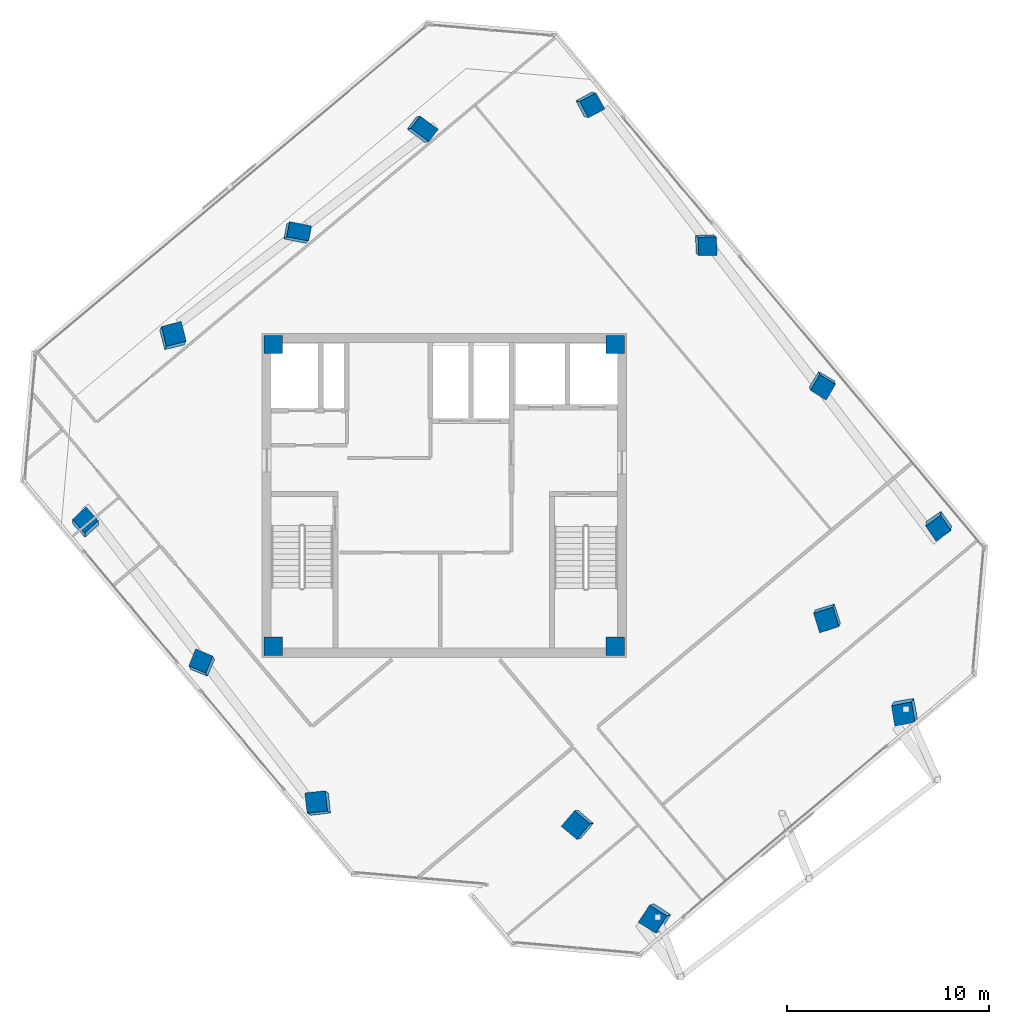
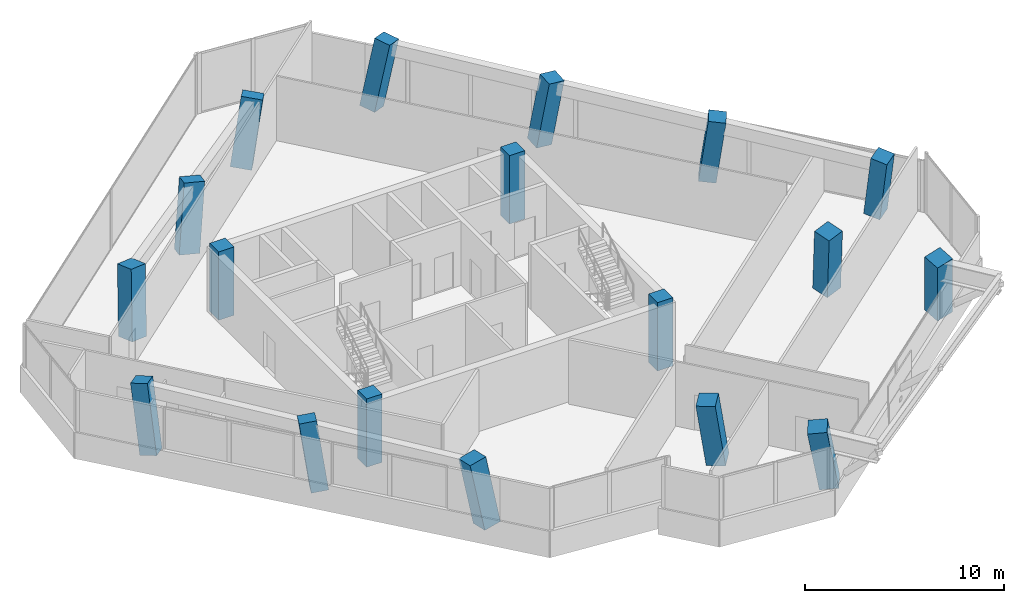
# One storey, part 1 of 17: 18 columns.
"""IFC4 building model written with IfcOpenShell, lengths in metres."""

from ifc_helpers import new_model, si_unit, direction, frame, origin, origin_2d, place, context, subcontext, project, spatial, rectangle, extrude, clip, halfspace, source, transform, mapped, material, material_profile, profile_set, type_object, element, save


model = new_model("IFC4")

# Units and contexts
model_context = context("Model", 3, precision=1e-05, world=origin(), true_north=direction((0.0, 1.0)))
body_context = subcontext(model_context, "Body", "Model", "MODEL_VIEW")
ifc_project = project(units=[si_unit("LENGTHUNIT", "METRE"), si_unit("AREAUNIT", "SQUARE_METRE"), si_unit("VOLUMEUNIT", "CUBIC_METRE"), si_unit("PLANEANGLEUNIT", "RADIAN"), si_unit("MASSUNIT", "GRAM", prefix="KILO")], contexts=[model_context])

# Site, building, storey
site_placement = place(None, origin())
site = spatial("IfcSite", under=ifc_project, at=site_placement, CompositionType="ELEMENT")
building_placement = place(site_placement, origin())
building = spatial("IfcBuilding", under=site, at=building_placement, Name="Torre Montelarca", CompositionType="ELEMENT")
storey_placement = place(building_placement, frame((0.0, 0.0, 275.199951171875)))
storey = spatial("IfcBuildingStorey", under=building, at=storey_placement, Name="L62", CompositionType="ELEMENT", Elevation=275.199951171875)

# Columns
ifc_material_1 = material(Name="Concrete C40/50", Category="concrete")
ifc_material_profile_1 = material_profile(ifc_material_1, rectangle(XDim=0.75, YDim=1.10009765625, at=origin_2d()), Name="RC1100X750", Category="concrete")
ifc_profile_set_1 = profile_set([ifc_material_profile_1], Name="Concrete C40/50")
column_type_1 = type_object("IfcColumnType", Name="COL-PIL1100-EXT", PredefinedType="PILASTER", material=ifc_profile_set_1)
column_1_placement = place(storey_placement, frame((10.6689453125, 44.90771484375, 0.0), z_axis=(0.134500210061, 0.107932267333, 0.985017928345), x_axis=(-0.186208166416, -0.973588495027, 0.132105870839)))
element("IfcColumn", 1, at=column_1_placement, inside=storey, type_object=column_type_1, Name="L62 Column 1W/E", PredefinedType="PILASTER", context=body_context, shape_type="Clipping", body=[
    clip(clip(extrude(rectangle(XDim=0.75, YDim=1.10009765625, at=origin_2d()), origin(), (0.0, 0.0, 1.0), 4.263916015625), halfspace(frame((0.0, 0.0, 0.113037109375), z_axis=(0.0, 0.0, -1.0), x_axis=(1.0, 0.0, 0.0)), False)), halfspace(frame((0.0, 0.0, 4.15087890625), z_axis=(0.0, 0.0, 1.0), x_axis=(1.0, 0.0, 0.0)), False)),
])
column_2_placement = place(storey_placement, frame((16.79736328125, 50.050048828125, 0.0), z_axis=(0.185071764016, 0.043942416988, 0.981742077204), x_axis=(-0.583223851967, -0.799135269847, 0.145714649172)))
element("IfcColumn", 2, at=column_2_placement, inside=storey, type_object=column_type_1, Name="L62 Column 1W/F", PredefinedType="PILASTER", context=body_context, shape_type="Clipping", body=[
    clip(clip(extrude(rectangle(XDim=0.75, YDim=1.10009765625, at=origin_2d()), origin(), (0.0, 0.0, 1.0), 4.278076171875), halfspace(frame((0.0, 0.0, 0.125), z_axis=(0.0, 0.0, -1.0), x_axis=(1.0, 0.0, 0.0)), False)), halfspace(frame((0.0, 0.0, 4.153076171875), z_axis=(0.0, 0.0, 1.0), x_axis=(1.0, 0.0, 0.0)), False)),
])
ifc_material_2 = material(Name="Concrete C55/67", Category="concrete")
ifc_material_profile_2 = material_profile(ifc_material_2, rectangle(XDim=1.0, YDim=1.0, at=origin_2d()), Name="RC1000X1000", Category="concrete")
ifc_profile_set_2 = profile_set([ifc_material_profile_2], Name="Concrete C55/67")
column_type_2 = type_object("IfcColumnType", Name="COL-RC1000", PredefinedType="COLUMN", material=ifc_profile_set_2)
for number, where, z_axis, x_axis, name in (
    (3, (24.692138671875, 15.75, 0.0), (-0.167050942703, -0.029044865552, 0.985520359164), (0.633685100882, 0.76260882658, 0.129888300253), "L62 Column 5/D"),
    (4, (36.94873046875, 26.03466796875, 0.0), (-0.064506066071, -0.156796716552, 0.98552207338), (-0.307217707341, 0.942734476144, 0.129880667485), "L62 Column 5/F"),
):
    element("IfcColumn", number, at=place(storey_placement, frame(where, z_axis=z_axis, x_axis=x_axis)), inside=storey, type_object=column_type_2, Name=name, PredefinedType="COLUMN", context=body_context, shape_type="Clipping", body=[
        clip(clip(extrude(rectangle(XDim=1.0, YDim=1.0, at=origin_2d()), origin(), (0.0, 0.0, 1.0), 4.26171875), halfspace(frame((0.0, 0.0, 0.121826171875), z_axis=(0.0, 0.0, -1.0), x_axis=(1.0, 0.0, 0.0)), False)), halfspace(frame((0.0, 0.0, 4.139892578125), z_axis=(0.0, 0.0, 1.0), x_axis=(1.0, 0.0, 0.0)), False)),
    ])
ifc_material_profile_3 = material_profile(ifc_material_2, rectangle(XDim=1.0, YDim=1.0, at=origin_2d()), Name="RC1000X1000", Category="concrete")
ifc_profile_set_3 = profile_set([ifc_material_profile_3], Name="Concrete C55/67")
column_type_3 = type_object("IfcColumnType", Name="COL-RC1000-EXT", PredefinedType="COLUMN", material=ifc_profile_set_3)
column_3_placement = place(storey_placement, frame((11.859375, 16.730712890625, 0.0), z_axis=(-0.153742871697, 0.101866793101, 0.982846013303), x_axis=(0.982671946425, 0.119982410812, 0.141280100526)))
element("IfcColumn", 5, at=column_3_placement, inside=storey, type_object=column_type_3, Name="L62 Column 4/CS", PredefinedType="COLUMN", context=body_context, shape_type="Clipping", body=[
    clip(clip(extrude(rectangle(XDim=1.0, YDim=1.0, at=origin_2d()), origin(), (0.0, 0.0, 1.0), 4.273193359375), halfspace(frame((0.0, 0.0, 0.1328125), z_axis=(0.0, 0.0, -1.0), x_axis=(1.0, 0.0, 0.0)), False)), halfspace(frame((0.0, 0.0, 4.140380859375), z_axis=(0.0, 0.0, 1.0), x_axis=(1.0, 0.0, 0.0)), False)),
])
for number, where, z_axis, x_axis, name in (
    (6, (28.548828125, 11.15380859375, 0.0), (-0.212616845399, -0.066754436002, 0.974852769564), (0.519942795804, 0.836968688549, 0.170712927104), "L62 Column 6/D"),
    (7, (40.805419921875, 21.4384765625, 0.0), (-0.111180848112, -0.193178140272, 0.97484410299), (-0.184602105407, 0.967868401964, 0.170741966604), "L62 Column 6/F"),
):
    element("IfcColumn", number, at=place(storey_placement, frame(where, z_axis=z_axis, x_axis=x_axis)), inside=storey, type_object=column_type_3, Name=name, PredefinedType="COLUMN", context=body_context, shape_type="Clipping", body=[
        clip(clip(extrude(rectangle(XDim=1.0, YDim=1.0, at=origin_2d()), origin(), (0.0, 0.0, 1.0), 4.308349609375), halfspace(frame((0.0, 0.0, 0.161865234375), z_axis=(0.0, 0.0, -1.0), x_axis=(1.0, 0.0, 0.0)), False)), halfspace(frame((0.0, 0.0, 4.146484375), z_axis=(0.0, 0.0, 1.0), x_axis=(1.0, 0.0, 0.0)), False)),
    ])
column_4_placement = place(storey_placement, frame((4.540771484375, 39.765380859375, 0.0), z_axis=(0.082919741406, 0.171203870763, 0.981740062909), x_axis=(0.250686307476, -0.957037771121, 0.145722612835)))
element("IfcColumn", 8, at=column_4_placement, inside=storey, type_object=column_type_3, Name="L62 Column 1W/D", PredefinedType="COLUMN", context=body_context, shape_type="Clipping", body=[
    clip(clip(extrude(rectangle(XDim=1.0, YDim=1.0, at=origin_2d()), origin(), (0.0, 0.0, 1.0), 4.278076171875), halfspace(frame((0.0, 0.0, 0.13720703125), z_axis=(0.0, 0.0, -1.0), x_axis=(1.0, 0.0, 0.0)), False)), halfspace(frame((0.0, 0.0, 4.140869140625), z_axis=(0.0, 0.0, 1.0), x_axis=(1.0, 0.0, 0.0)), False)),
])
ifc_material_profile_4 = material_profile(ifc_material_2, rectangle(XDim=0.89990234375, YDim=0.89990234375, at=origin_2d()), Name="RC900X900", Category="concrete")
ifc_profile_set_4 = profile_set([ifc_material_profile_4], Name="Concrete C55/67")
column_type_4 = type_object("IfcColumnType", Name="COL-RC900-EXT", PredefinedType="COLUMN", material=ifc_profile_set_4)
column_5_placement = place(storey_placement, frame((0.289306640625, 30.51953125, 0.0), z_axis=(-0.010330476679, 0.215464227867, 0.976457089565), x_axis=(0.677872400292, -0.716368043102, 0.165244775241)))
element("IfcColumn", 9, at=column_5_placement, inside=storey, type_object=column_type_4, Name="L62 Column 2/CS", PredefinedType="COLUMN", context=body_context, shape_type="Clipping", body=[
    clip(clip(extrude(rectangle(XDim=0.89990234375, YDim=0.89990234375, at=origin_2d()), origin(), (0.0, 0.0, 1.0), 4.30126953125), halfspace(frame((0.0, 0.0, 0.140869140625), z_axis=(0.0, 0.0, -1.0), x_axis=(1.0, 0.0, 0.0)), False)), halfspace(frame((0.0, 0.0, 4.160400390625), z_axis=(0.0, 0.0, 1.0), x_axis=(1.0, 0.0, 0.0)), False)),
])
column_6_placement = place(storey_placement, frame((25.07080078125, 51.313720703125, 0.0), z_axis=(0.195757198918, -0.040609509115, 0.97981119959), x_axis=(-0.865497065717, -0.47692710416, 0.153151449724)))
element("IfcColumn", 10, at=column_6_placement, inside=storey, type_object=column_type_4, Name="L62 Column 2/GN", PredefinedType="COLUMN", context=body_context, shape_type="Clipping", body=[
    clip(clip(extrude(rectangle(XDim=0.89990234375, YDim=0.89990234375, at=origin_2d()), origin(), (0.0, 0.0, 1.0), 4.286376953125), halfspace(frame((0.0, 0.0, 0.130126953125), z_axis=(0.0, 0.0, -1.0), x_axis=(1.0, 0.0, 0.0)), False)), halfspace(frame((0.0, 0.0, 4.15625), z_axis=(0.0, 0.0, 1.0), x_axis=(1.0, 0.0, 0.0)), False)),
])
column_7_placement = place(storey_placement, frame((6.07421875, 23.625244140625, 0.0), z_axis=(-0.082120416848, 0.159437132432, 0.9837865815), x_axis=(0.916523206917, -0.375646939896, 0.137384816228)))
element("IfcColumn", 11, at=column_7_placement, inside=storey, type_object=column_type_4, Name="L62 Column 3/CS", PredefinedType="COLUMN", context=body_context, shape_type="Clipping", body=[
    clip(clip(extrude(rectangle(XDim=0.89990234375, YDim=0.89990234375, at=origin_2d()), origin(), (0.0, 0.0, 1.0), 4.269287109375), halfspace(frame((0.0, 0.0, 0.116455078125), z_axis=(0.0, 0.0, -1.0), x_axis=(1.0, 0.0, 0.0)), False)), halfspace(frame((0.0, 0.0, 4.15283203125), z_axis=(0.0, 0.0, 1.0), x_axis=(1.0, 0.0, 0.0)), False)),
])
column_8_placement = place(storey_placement, frame((30.855712890625, 44.41943359375, 0.0), z_axis=(0.125272246636, -0.098702823735, 0.987200393441), x_axis=(-0.991823762749, -0.03687177893, 0.122172400995)))
element("IfcColumn", 12, at=column_8_placement, inside=storey, type_object=column_type_4, Name="L62 Column 3/GN", PredefinedType="COLUMN", context=body_context, shape_type="Clipping", body=[
    clip(clip(extrude(rectangle(XDim=0.89990234375, YDim=0.89990234375, at=origin_2d()), origin(), (0.0, 0.0, 1.0), 4.25439453125), halfspace(frame((0.0, 0.0, 0.10302734375), z_axis=(0.0, 0.0, -1.0), x_axis=(1.0, 0.0, 0.0)), False)), halfspace(frame((0.0, 0.0, 4.1513671875), z_axis=(0.0, 0.0, 1.0), x_axis=(1.0, 0.0, 0.0)), False)),
])
column_9_placement = place(storey_placement, frame((36.640869140625, 37.52490234375, 0.0), z_axis=(0.053203849218, -0.156286307078, 0.986277821229), x_axis=(-0.851975649645, 0.508077730488, 0.12646941209)))
element("IfcColumn", 13, at=column_9_placement, inside=storey, type_object=column_type_4, Name="L62 Column 4/GN", PredefinedType="COLUMN", context=body_context, shape_type="Clipping", body=[
    clip(clip(extrude(rectangle(XDim=0.89990234375, YDim=0.89990234375, at=origin_2d()), origin(), (0.0, 0.0, 1.0), 4.25830078125), halfspace(frame((0.0, 0.0, 0.10693359375), z_axis=(0.0, 0.0, -1.0), x_axis=(1.0, 0.0, 0.0)), False)), halfspace(frame((0.0, 0.0, 4.1513671875), z_axis=(0.0, 0.0, 1.0), x_axis=(1.0, 0.0, 0.0)), False)),
])
column_10_placement = place(storey_placement, frame((42.426025390625, 30.630615234375, 0.0), z_axis=(-0.018572564847, -0.212079379625, 0.97707594207), x_axis=(-0.57503935286, 0.801706521866, 0.163084013501)))
element("IfcColumn", 14, at=column_10_placement, inside=storey, type_object=column_type_4, Name="L62 Column 5/GN", PredefinedType="COLUMN", context=body_context, shape_type="Clipping", body=[
    clip(clip(extrude(rectangle(XDim=0.89990234375, YDim=0.89990234375, at=origin_2d()), origin(), (0.0, 0.0, 1.0), 4.298583984375), halfspace(frame((0.0, 0.0, 0.138916015625), z_axis=(0.0, 0.0, -1.0), x_axis=(1.0, 0.0, 0.0)), False)), halfspace(frame((0.0, 0.0, 4.15966796875), z_axis=(0.0, 0.0, 1.0), x_axis=(1.0, 0.0, 0.0)), False)),
])
ifc_material_profile_5 = material_profile(ifc_material_2, rectangle(XDim=0.89990234375, YDim=0.89990234375, at=origin_2d()), Name="RC900X900", Category="concrete")
ifc_profile_set_5 = profile_set([ifc_material_profile_5], Name="Concrete C55/67")
column_type_5 = type_object("IfcColumnType", Name="COL-RC900", PredefinedType="COLUMN", material=ifc_profile_set_5)
shared_shape = source(origin(), body_context, "Body", "SweptSolid", [
    extrude(rectangle(XDim=0.89990234375, YDim=0.89990234375, at=origin_2d()), origin(), (0.0, 0.0, 1.0), 4.198486328125),
])
for number, where, z_axis, x_axis, name in (
    (15, (9.550048828125, 24.550048828125, 0.000732421875), (0.0, 0.0, 1.0), (1.0, 0.0, 0.0), "L62 Plumb Core Corner Column 2D"),
    (16, (26.449951171875, 24.550048828125, 0.000732421875), (0.0, 0.0, 1.0), (1.0, 0.0, 0.0), "L62 Plumb Core Corner Column 4D"),
    (17, (9.550048828125, 39.449951171875, 0.000732421875), (0.0, 0.0, 1.0), (1.0, 0.0, 0.0), "L62 Plumb Core Corner Column 2F"),
    (18, (26.449951171875, 39.449951171875, 0.000732421875), (0.0, 0.0, 1.0), (1.0, 0.0, 0.0), "L62 Plumb Core Corner Column 4F"),
):
    element("IfcColumn", number, at=place(storey_placement, frame(where, z_axis=z_axis, x_axis=x_axis)), inside=storey, type_object=column_type_5, Name=name, PredefinedType="COLUMN", context=body_context, shape_type="MappedRepresentation", body=[
        mapped(shared_shape, transform((0.0, 0.0, 0.0), scale=1.0)),
    ])

save(model, "model.ifc")
